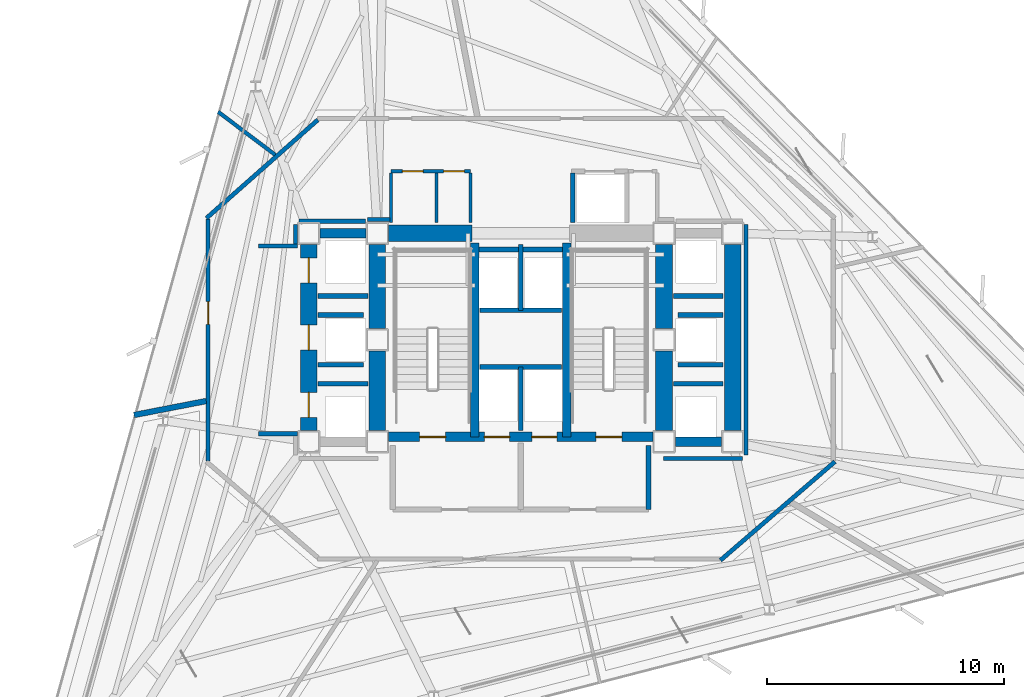
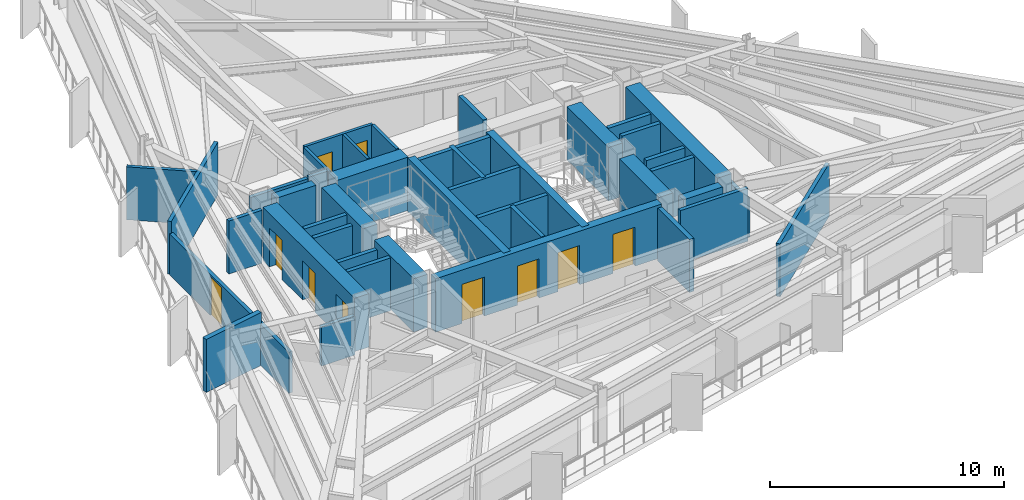
# One storey, part 7 of 11: 43 walls, 10 doors, 10 openings.
"""IFC4 building model written with IfcOpenShell, lengths in metres."""

from ifc_helpers import new_model, si_unit, direction, frame, frame_2d, origin, place, context, subcontext, project, spatial, rectangle, extrude, material, layer, layer_set, type_object, element, fill, save


model = new_model("IFC4")

# Units and contexts
model_context = context("Model", 3, precision=1e-05, world=origin(), true_north=direction((0.0, 1.0)))
body_context = subcontext(model_context, "Body", "Model", "MODEL_VIEW")
ifc_project = project(units=[si_unit("LENGTHUNIT", "METRE"), si_unit("AREAUNIT", "SQUARE_METRE"), si_unit("VOLUMEUNIT", "CUBIC_METRE"), si_unit("PLANEANGLEUNIT", "RADIAN"), si_unit("MASSUNIT", "GRAM", prefix="KILO")], contexts=[model_context])

# Site, building, storey
site_placement = place(None, origin())
site = spatial("IfcSite", under=ifc_project, at=site_placement, CompositionType="ELEMENT")
building_placement = place(site_placement, origin())
building = spatial("IfcBuilding", under=site, at=building_placement, Name="Rocaltana Carrier Exchange", CompositionType="ELEMENT")
storey_placement = place(building_placement, frame((0.0, 0.0, 79.52001953125)))
storey = spatial("IfcBuildingStorey", under=building, at=storey_placement, Name="L24", CompositionType="ELEMENT", Elevation=79.52001953125)

# Walls
ifc_material_1 = material(Name="Double Acoustic Gypsum Partition", Category="gypsum")
ifc_layer_1 = layer(ifc_material_1, 0.159912109375)
ifc_layer_set_1 = layer_set([ifc_layer_1], Name="Double Acoustic Gypsum Partition")
wall_type_1 = type_object("IfcWallType", Name="Acoustic Studio Partition 160 EI60", PredefinedType="PARTITIONING", material=ifc_layer_set_1)
wall_1_placement = place(storey_placement, frame((-10.364501953125, 7.810302734375, 0.0), z_axis=(0.0, 0.0, 1.0), x_axis=(-0.79865006228, 0.601795711201, 0.0)))
element("IfcWall", 1, at=wall_1_placement, inside=storey, type_object=wall_type_1, Name="L24 Suite Divider Wall D8", PredefinedType="PARTITIONING", context=body_context, shape_type="SweptSolid", body=[
    extrude(rectangle(XDim=3.021240234375, YDim=0.159912109375, at=frame_2d((1.5107421875, 0.0))), origin(), (0.0, 0.0, 1.0), 2.762939453125),
])
ifc_material_2 = material(Name="Concrete C50/60", Category="concrete")
ifc_layer_2 = layer(ifc_material_2, 0.35009765625)
ifc_layer_set_2 = layer_set([ifc_layer_2], Name="Concrete C50/60")
wall_type_2 = type_object("IfcWallType", Name="Core Internal Shear Wall 350", PredefinedType="SHEAR", material=ifc_layer_set_2)
for number, where, z_axis, x_axis, name in (
    (2, (-1.93994140625, -4.10009765625, 0.0), (0.0, 0.0, 1.0), (0.0, 1.0, 0.0), "L24 Core Shear Wall CW-STW"),
    (3, (1.93994140625, -4.10009765625, 0.0), (0.0, 0.0, 1.0), (0.0, 1.0, 0.0), "L24 Core Shear Wall CW-STE"),
):
    element("IfcWall", number, at=place(storey_placement, frame(where, z_axis=z_axis, x_axis=x_axis)), inside=storey, type_object=wall_type_2, Name=name, PredefinedType="SHEAR", context=body_context, shape_type="SweptSolid", body=[
        extrude(rectangle(XDim=8.2001953125, YDim=0.35009765625, at=frame_2d((4.10009765625, 0.0))), origin(), (0.0, 0.0, 1.0), 2.7880859375),
    ])

# Wall, openings, doors
ifc_material_3 = material(Name="Concrete C50/60", Category="concrete")
ifc_layer_3 = layer(ifc_material_3, 0.39990234375)
ifc_layer_set_3 = layer_set([ifc_layer_3], Name="Concrete C50/60")
wall_type_3 = type_object("IfcWallType", Name="Core Internal Shear Wall 400", PredefinedType="SHEAR", material=ifc_layer_set_3)
wall_2_placement = place(storey_placement, frame((-5.574951171875, -4.10009765625, 0.0), z_axis=(0.0, 0.0, 1.0), x_axis=(1.0, 0.0, 0.0)))
wall_2 = element("IfcWall", 4, at=wall_2_placement, inside=storey, type_object=wall_type_3, Name="L24 Core Shear Wall CW-S", PredefinedType="SHEAR", context=body_context, shape_type="SweptSolid", body=[
    extrude(rectangle(XDim=11.14990234375, YDim=0.39990234375, at=frame_2d((5.574951171875, 0.0))), origin(), (0.0, 0.0, 1.0), 2.7880859375),
])
opening_1_placement = place(wall_2_placement, frame((1.304931640625, 0.0, 0.0)))
opening_1 = element("IfcOpeningElement", 5, at=opening_1_placement, cuts=wall_2, Name="Opening D-ST110", PredefinedType="OPENING", context=body_context, shape_type="SweptSolid", body=[
    extrude(rectangle(XDim=1.10009765625, YDim=2.0400390625, at=frame_2d((0.550048828125, 1.02001953125))), frame((0.0, 0.2099609375, 0.0), z_axis=(0.0, -1.0, 0.0), x_axis=(1.0, 0.0, 0.0)), (0.0, 0.0, 1.0), 0.419921875),
])
opening_2_placement = place(wall_2_placement, frame((8.7451171875, 0.0, 0.0)))
opening_2 = element("IfcOpeningElement", 6, at=opening_2_placement, cuts=wall_2, Name="Opening D-ST110", PredefinedType="OPENING", context=body_context, shape_type="SweptSolid", body=[
    extrude(rectangle(XDim=1.10009765625, YDim=2.0400390625, at=frame_2d((0.550048828125, 1.02001953125))), frame((0.0, 0.2099609375, 0.0), z_axis=(0.0, -1.0, 0.0), x_axis=(1.0, 0.0, 0.0)), (0.0, 0.0, 1.0), 0.419921875),
])
opening_3_placement = place(wall_2_placement, frame((4.044921875, 0.0, 0.0)))
opening_3 = element("IfcOpeningElement", 7, at=opening_3_placement, cuts=wall_2, Name="Opening LD-110", PredefinedType="OPENING", context=body_context, shape_type="SweptSolid", body=[
    extrude(rectangle(XDim=1.06005859375, YDim=2.0400390625, at=frame_2d((0.530029296875, 1.02001953125))), frame((0.0, 0.2099609375, 0.0), z_axis=(0.0, -1.0, 0.0), x_axis=(1.0, 0.0, 0.0)), (0.0, 0.0, 1.0), 0.419921875),
])
opening_4_placement = place(wall_2_placement, frame((6.044921875, 0.0, 0.0)))
opening_4 = element("IfcOpeningElement", 8, at=opening_4_placement, cuts=wall_2, Name="Opening LD-110", PredefinedType="OPENING", context=body_context, shape_type="SweptSolid", body=[
    extrude(rectangle(XDim=1.06005859375, YDim=2.0400390625, at=frame_2d((0.530029296875, 1.02001953125))), frame((0.0, 0.2099609375, 0.0), z_axis=(0.0, -1.0, 0.0), x_axis=(1.0, 0.0, 0.0)), (0.0, 0.0, 1.0), 0.419921875),
])
ifc_material_4 = material(Name="Hollow Metal Fire Door Assembly", Category="steel")
door_type_1 = type_object("IfcDoorType", Name="Exit Stair Fire Door 1100x2040 FD90S", OperationType="NOTDEFINED", PredefinedType="DOOR", material=ifc_material_4)
door_1_placement = place(opening_1_placement, origin())
door_1 = element("IfcDoor", 9, at=door_1_placement, inside=storey, type_object=door_type_1, Name="L24 Exit Stair ST1 Fire Door", OperationType="SINGLE_SWING_LEFT", OverallHeight=2.0400390625, OverallWidth=1.10009765625, PredefinedType="DOOR", context=body_context, shape_type="SweptSolid", body=[
    extrude(rectangle(XDim=1.10009765625, YDim=2.0400390625, at=frame_2d((0.550048828125, 1.02001953125))), frame((0.0, 0.02490234375, 0.0), z_axis=(0.0, -1.0, 0.0), x_axis=(1.0, 0.0, 0.0)), (0.0, 0.0, 1.0), 0.050048828125),
])
fill(opening_1, door_1)
door_2_placement = place(opening_2_placement, origin())
door_2 = element("IfcDoor", 10, at=door_2_placement, inside=storey, type_object=door_type_1, Name="L24 Exit Stair ST2 Fire Door", OperationType="SINGLE_SWING_RIGHT", OverallHeight=2.0400390625, OverallWidth=1.10009765625, PredefinedType="DOOR", context=body_context, shape_type="SweptSolid", body=[
    extrude(rectangle(XDim=1.10009765625, YDim=2.0400390625, at=frame_2d((0.550048828125, 1.02001953125))), frame((0.0, 0.02490234375, 0.0), z_axis=(0.0, -1.0, 0.0), x_axis=(1.0, 0.0, 0.0)), (0.0, 0.0, 1.0), 0.050048828125),
])
fill(opening_2, door_2)
ifc_material_5 = material(Name="Brushed Stainless Sliding Door Leaf", Category="steel")
door_type_2 = type_object("IfcDoorType", Name="Lift Landing Sliding Door 1060x2040", OperationType="NOTDEFINED", PredefinedType="DOOR", material=ifc_material_5)
door_3_placement = place(opening_3_placement, origin())
door_3 = element("IfcDoor", 11, at=door_3_placement, inside=storey, type_object=door_type_2, Name="L24 Firefighting Lift FFL1 Landing Door", OperationType="SLIDING_TO_LEFT", OverallHeight=2.0400390625, OverallWidth=1.06005859375, PredefinedType="DOOR", context=body_context, shape_type="SweptSolid", body=[
    extrude(rectangle(XDim=1.06005859375, YDim=2.0400390625, at=frame_2d((0.530029296875, 1.02001953125))), frame((0.0, 0.02490234375, 0.0), z_axis=(0.0, -1.0, 0.0), x_axis=(1.0, 0.0, 0.0)), (0.0, 0.0, 1.0), 0.050048828125),
])
fill(opening_3, door_3)
door_4_placement = place(opening_4_placement, origin())
door_4 = element("IfcDoor", 12, at=door_4_placement, inside=storey, type_object=door_type_2, Name="L24 Firefighting Lift FFL2 Landing Door", OperationType="SLIDING_TO_RIGHT", OverallHeight=2.0400390625, OverallWidth=1.06005859375, PredefinedType="DOOR", context=body_context, shape_type="SweptSolid", body=[
    extrude(rectangle(XDim=1.06005859375, YDim=2.0400390625, at=frame_2d((0.530029296875, 1.02001953125))), frame((0.0, 0.02490234375, 0.0), z_axis=(0.0, -1.0, 0.0), x_axis=(1.0, 0.0, 0.0)), (0.0, 0.0, 1.0), 0.050048828125),
])
fill(opening_4, door_4)

# Walls
for number, where, z_axis, x_axis, name in (
    (13, (-8.47509765625, 4.5, 0.0), (0.0, 0.0, 1.0), (1.0, 0.0, 0.0), "L24 Core Shear Wall CW-WWN"),
    (14, (6.52490234375, -4.300048828125, 0.0), (0.0, 0.0, 1.0), (1.0, 0.0, 0.0), "L24 Core Shear Wall CW-EWS"),
):
    element("IfcWall", number, at=place(storey_placement, frame(where, z_axis=z_axis, x_axis=x_axis)), inside=storey, type_object=wall_type_3, Name=name, PredefinedType="SHEAR", context=body_context, shape_type="SweptSolid", body=[
        extrude(rectangle(XDim=1.9501953125, YDim=0.39990234375, at=frame_2d((0.97509765625, 0.0))), origin(), (0.0, 0.0, 1.0), 2.7880859375),
    ])
ifc_material_6 = material(Name="Concrete C60/75", Category="concrete")
ifc_layer_4 = layer(ifc_material_6, 0.699951171875)
ifc_layer_set_4 = layer_set([ifc_layer_4], Name="Concrete C60/75")
wall_type_4 = type_object("IfcWallType", Name="Core Shear Wall 700", PredefinedType="SHEAR", material=ifc_layer_set_4)
wall_3_placement = place(storey_placement, frame((-6.050048828125, 0.47509765625, 0.0), z_axis=(0.0, 0.0, 1.0), x_axis=(0.0, 1.0, 0.0)))
element("IfcWall", 15, at=wall_3_placement, inside=storey, type_object=wall_type_4, Name="L24 Core Shear Wall CW-WN", PredefinedType="SHEAR", context=body_context, shape_type="SweptSolid", body=[
    extrude(rectangle(XDim=3.5498046875, YDim=0.699951171875, at=frame_2d((1.77490234375, 0.0))), origin(), (0.0, 0.0, 1.0), 2.7880859375),
])
wall_4_placement = place(storey_placement, frame((-6.050048828125, -3.824951171875, 0.0), z_axis=(0.0, 0.0, 1.0), x_axis=(0.0, 1.0, 0.0)))
element("IfcWall", 16, at=wall_4_placement, inside=storey, type_object=wall_type_4, Name="L24 Core Shear Wall CW-WS", PredefinedType="SHEAR", context=body_context, shape_type="SweptSolid", body=[
    extrude(rectangle(XDim=3.349853515625, YDim=0.699951171875, at=frame_2d((1.6748046875, 0.0))), origin(), (0.0, 0.0, 1.0), 2.7880859375),
])
wall_5_placement = place(storey_placement, frame((6.050048828125, 0.47509765625, 0.0), z_axis=(0.0, 0.0, 1.0), x_axis=(0.0, 1.0, 0.0)))
element("IfcWall", 17, at=wall_5_placement, inside=storey, type_object=wall_type_4, Name="L24 Core Shear Wall CW-EN", PredefinedType="SHEAR", context=body_context, shape_type="SweptSolid", body=[
    extrude(rectangle(XDim=3.5498046875, YDim=0.699951171875, at=frame_2d((1.77490234375, 0.0))), origin(), (0.0, 0.0, 1.0), 2.7880859375),
])
wall_6_placement = place(storey_placement, frame((6.050048828125, -3.824951171875, 0.0), z_axis=(0.0, 0.0, 1.0), x_axis=(0.0, 1.0, 0.0)))
element("IfcWall", 18, at=wall_6_placement, inside=storey, type_object=wall_type_4, Name="L24 Core Shear Wall CW-ES", PredefinedType="SHEAR", context=body_context, shape_type="SweptSolid", body=[
    extrude(rectangle(XDim=3.349853515625, YDim=0.699951171875, at=frame_2d((1.6748046875, 0.0))), origin(), (0.0, 0.0, 1.0), 2.7880859375),
])
wall_7_placement = place(storey_placement, frame((-5.574951171875, 4.5, 0.0), z_axis=(0.0, 0.0, 1.0), x_axis=(1.0, 0.0, 0.0)))
element("IfcWall", 19, at=wall_7_placement, inside=storey, type_object=wall_type_4, Name="L24 Core Shear Wall CW-N1", PredefinedType="SHEAR", context=body_context, shape_type="SweptSolid", body=[
    extrude(rectangle(XDim=3.52490234375, YDim=0.699951171875, at=frame_2d((1.762451171875, 0.0))), origin(), (0.0, 0.0, 1.0), 2.7880859375),
])

# Wall, openings, doors
wall_8_placement = place(storey_placement, frame((-8.949951171875, -3.824951171875, 0.0), z_axis=(0.0, 0.0, 1.0), x_axis=(0.0, 1.0, 0.0)))
wall_8 = element("IfcWall", 20, at=wall_8_placement, inside=storey, type_object=wall_type_4, Name="L24 Core Shear Wall CW-WW", PredefinedType="SHEAR", context=body_context, shape_type="SweptSolid", body=[
    extrude(rectangle(XDim=7.849853515625, YDim=0.699951171875, at=frame_2d((3.9248046875, 0.0))), origin(), (0.0, 0.0, 1.0), 2.7880859375),
])
opening_5_placement = place(wall_8_placement, frame((0.550048828125, 0.0, 0.0)))
opening_5 = element("IfcOpeningElement", 21, at=opening_5_placement, cuts=wall_8, Name="Opening LD-110", PredefinedType="OPENING", context=body_context, shape_type="SweptSolid", body=[
    extrude(rectangle(XDim=1.06005859375, YDim=2.0400390625, at=frame_2d((0.530029296875, 1.02001953125))), frame((0.0, 0.35986328125, 0.0), z_axis=(0.0, -1.0, 0.0), x_axis=(1.0, 0.0, 0.0)), (0.0, 0.0, 1.0), 0.719970703125),
])
opening_6_placement = place(wall_8_placement, frame((3.39501953125, 0.0, 0.0)))
opening_6 = element("IfcOpeningElement", 22, at=opening_6_placement, cuts=wall_8, Name="Opening LD-110", PredefinedType="OPENING", context=body_context, shape_type="SweptSolid", body=[
    extrude(rectangle(XDim=1.06005859375, YDim=2.0400390625, at=frame_2d((0.530029296875, 1.02001953125))), frame((0.0, 0.35986328125, 0.0), z_axis=(0.0, -1.0, 0.0), x_axis=(1.0, 0.0, 0.0)), (0.0, 0.0, 1.0), 0.719970703125),
])
opening_7_placement = place(wall_8_placement, frame((6.22998046875, 0.0, 0.0)))
opening_7 = element("IfcOpeningElement", 23, at=opening_7_placement, cuts=wall_8, Name="Opening LD-110", PredefinedType="OPENING", context=body_context, shape_type="SweptSolid", body=[
    extrude(rectangle(XDim=1.06005859375, YDim=2.0400390625, at=frame_2d((0.530029296875, 1.02001953125))), frame((0.0, 0.35986328125, 0.0), z_axis=(0.0, -1.0, 0.0), x_axis=(1.0, 0.0, 0.0)), (0.0, 0.0, 1.0), 0.719970703125),
])
door_5_placement = place(opening_5_placement, origin())
door_5 = element("IfcDoor", 24, at=door_5_placement, inside=storey, type_object=door_type_2, Name="L24 Low-Rise Lift PL-L1 Landing Door", OperationType="SLIDING_TO_LEFT", OverallHeight=2.0400390625, OverallWidth=1.06005859375, PredefinedType="DOOR", context=body_context, shape_type="SweptSolid", body=[
    extrude(rectangle(XDim=1.06005859375, YDim=2.0400390625, at=frame_2d((0.530029296875, 1.02001953125))), frame((0.0, 0.02490234375, 0.0), z_axis=(0.0, -1.0, 0.0), x_axis=(1.0, 0.0, 0.0)), (0.0, 0.0, 1.0), 0.050048828125),
])
fill(opening_5, door_5)
door_6_placement = place(opening_6_placement, origin())
door_6 = element("IfcDoor", 25, at=door_6_placement, inside=storey, type_object=door_type_2, Name="L24 Low-Rise Lift PL-L2 Landing Door", OperationType="SLIDING_TO_RIGHT", OverallHeight=2.0400390625, OverallWidth=1.06005859375, PredefinedType="DOOR", context=body_context, shape_type="SweptSolid", body=[
    extrude(rectangle(XDim=1.06005859375, YDim=2.0400390625, at=frame_2d((0.530029296875, 1.02001953125))), frame((0.0, 0.02490234375, 0.0), z_axis=(0.0, -1.0, 0.0), x_axis=(1.0, 0.0, 0.0)), (0.0, 0.0, 1.0), 0.050048828125),
])
fill(opening_6, door_6)
door_7_placement = place(opening_7_placement, origin())
door_7 = element("IfcDoor", 26, at=door_7_placement, inside=storey, type_object=door_type_2, Name="L24 Low-Rise Lift PL-L3 Landing Door", OperationType="SLIDING_TO_LEFT", OverallHeight=2.0400390625, OverallWidth=1.06005859375, PredefinedType="DOOR", context=body_context, shape_type="SweptSolid", body=[
    extrude(rectangle(XDim=1.06005859375, YDim=2.0400390625, at=frame_2d((0.530029296875, 1.02001953125))), frame((0.0, 0.02490234375, 0.0), z_axis=(0.0, -1.0, 0.0), x_axis=(1.0, 0.0, 0.0)), (0.0, 0.0, 1.0), 0.050048828125),
])
fill(opening_7, door_7)

# Walls
wall_9_placement = place(storey_placement, frame((8.949951171875, -3.824951171875, 0.0), z_axis=(0.0, 0.0, 1.0), x_axis=(0.0, 1.0, 0.0)))
element("IfcWall", 27, at=wall_9_placement, inside=storey, type_object=wall_type_4, Name="L24 Core Shear Wall CW-EW", PredefinedType="SHEAR", context=body_context, shape_type="SweptSolid", body=[
    extrude(rectangle(XDim=7.849853515625, YDim=0.699951171875, at=frame_2d((3.9248046875, 0.0))), origin(), (0.0, 0.0, 1.0), 2.7880859375),
])
ifc_material_7 = material(Name="Gypsum & Steel Stud Partition", Category="steel")
ifc_layer_5 = layer(ifc_material_7, 0.179931640625)
ifc_layer_set_5 = layer_set([ifc_layer_5], Name="Gypsum & Steel Stud Partition")
wall_type_5 = type_object("IfcWallType", Name="Corridor Fire Partition 180 EI60", PredefinedType="PARTITIONING", material=ifc_layer_set_5)
wall_10_placement = place(storey_placement, frame((13.268310546875, -5.14111328125, 0.0), z_axis=(0.0, 0.0, 1.0), x_axis=(-0.757534501725, -0.65279512766, 0.0)))
element("IfcWall", 28, at=wall_10_placement, inside=storey, type_object=wall_type_5, Name="L24 Corridor Partition 4", PredefinedType="PARTITIONING", context=body_context, shape_type="SweptSolid", body=[
    extrude(rectangle(XDim=6.384521484375, YDim=0.179931640625, at=frame_2d((3.1923828125, 0.0))), origin(), (0.0, 0.0, 1.0), 2.762939453125),
])

# Wall, opening, door
wall_11_placement = place(storey_placement, frame((-13.199951171875, -5.110107421875, 0.0), z_axis=(0.0, 0.0, 1.0), x_axis=(0.0, 1.0, 0.0)))
wall_11 = element("IfcWall", 29, at=wall_11_placement, inside=storey, type_object=wall_type_5, Name="L24 Corridor Partition 7", PredefinedType="PARTITIONING", context=body_context, shape_type="SweptSolid", body=[
    extrude(rectangle(XDim=10.22021484375, YDim=0.179931640625, at=frame_2d((5.110107421875, 0.0))), origin(), (0.0, 0.0, 1.0), 2.14306640625),
])
opening_8_placement = place(wall_11_placement, frame((5.764892578125, 0.0, 0.0)))
opening_8 = element("IfcOpeningElement", 30, at=opening_8_placement, cuts=wall_11, Name="Opening D-RM098", PredefinedType="OPENING", context=body_context, shape_type="SweptSolid", body=[
    extrude(rectangle(XDim=0.9599609375, YDim=2.02001953125, at=frame_2d((0.47998046875, 1.010009765625))), frame((0.0, 0.099853515625, 0.0), z_axis=(0.0, -1.0, 0.0), x_axis=(1.0, 0.0, 0.0)), (0.0, 0.0, 1.0), 0.199951171875),
])
ifc_material_8 = material(Name="Engineered Hardwood Timber", Category="wood")
door_type_3 = type_object("IfcDoorType", Name="Workspace Single Door 960x2020", OperationType="NOTDEFINED", PredefinedType="DOOR", material=ifc_material_8)
door_8_placement = place(opening_8_placement, origin())
door_8 = element("IfcDoor", 31, at=door_8_placement, inside=storey, type_object=door_type_3, Name="L24 Incident Briefing Room Entrance Door", OperationType="SINGLE_SWING_LEFT", OverallHeight=2.02001953125, OverallWidth=0.9599609375, PredefinedType="DOOR", context=body_context, shape_type="SweptSolid", body=[
    extrude(rectangle(XDim=0.9599609375, YDim=2.02001953125, at=frame_2d((0.47998046875, 1.010009765625))), frame((0.0, 0.02490234375, 0.0), z_axis=(0.0, -1.0, 0.0), x_axis=(1.0, 0.0, 0.0)), (0.0, 0.0, 1.0), 0.050048828125),
])
fill(opening_8, door_8)

# Walls
wall_12_placement = place(storey_placement, frame((-13.267578125, 5.140380859375, 0.0), z_axis=(0.0, 0.0, 1.0), x_axis=(0.749626463267, 0.66186113768, 0.0)))
element("IfcWall", 32, at=wall_12_placement, inside=storey, type_object=wall_type_5, Name="L24 Corridor Partition 8", PredefinedType="PARTITIONING", context=body_context, shape_type="SweptSolid", body=[
    extrude(rectangle(XDim=6.27001953125, YDim=0.179931640625, at=frame_2d((3.135009765625, 0.0))), origin(), (0.0, 0.0, 1.0), 2.762939453125),
])
wall_13_placement = place(storey_placement, frame((-9.510009765625, 4.8701171875, 0.0), z_axis=(0.0, 0.0, 1.0), x_axis=(0.0, -1.0, 0.0)))
element("IfcWall", 33, at=wall_13_placement, inside=storey, type_object=wall_type_5, Name="L24 Corridor Partition 9", PredefinedType="PARTITIONING", context=body_context, shape_type="SweptSolid", body=[
    extrude(rectangle(XDim=0.820068359375, YDim=0.179931640625, at=frame_2d((0.41015625, 0.0))), origin(), (0.0, 0.0, 1.0), 2.277099609375),
])
wall_14_placement = place(storey_placement, frame((-9.419921875, 3.9599609375, 0.0), z_axis=(0.0, 0.0, 1.0), x_axis=(-1.0, 0.0, 0.0)))
element("IfcWall", 34, at=wall_14_placement, inside=storey, type_object=wall_type_5, Name="L24 Corridor Partition 10", PredefinedType="PARTITIONING", context=body_context, shape_type="SweptSolid", body=[
    extrude(rectangle(XDim=1.650146484375, YDim=0.179931640625, at=frame_2d((0.8251953125, 0.0))), origin(), (0.0, 0.0, 1.0), 2.762939453125),
])
wall_15_placement = place(storey_placement, frame((-11.070068359375, -3.9599609375, 0.0), z_axis=(0.0, 0.0, 1.0), x_axis=(1.0, 0.0, 0.0)))
element("IfcWall", 35, at=wall_15_placement, inside=storey, type_object=wall_type_5, Name="L24 Corridor Partition 11", PredefinedType="PARTITIONING", context=body_context, shape_type="SweptSolid", body=[
    extrude(rectangle(XDim=1.650146484375, YDim=0.179931640625, at=frame_2d((0.8251953125, 0.0))), origin(), (0.0, 0.0, 1.0), 2.048095703125),
])
wall_16_placement = place(storey_placement, frame((6.030029296875, -5.010009765625, 0.0), z_axis=(0.0, 0.0, 1.0), x_axis=(1.0, 0.0, 0.0)))
element("IfcWall", 36, at=wall_16_placement, inside=storey, type_object=wall_type_5, Name="L24 Corridor Partition 16", PredefinedType="PARTITIONING", context=body_context, shape_type="SweptSolid", body=[
    extrude(rectangle(XDim=3.340087890625, YDim=0.179931640625, at=frame_2d((1.669921875, 0.0))), origin(), (0.0, 0.0, 1.0), 2.762939453125),
])
wall_17_placement = place(storey_placement, frame((9.510009765625, -4.8701171875, 0.0), z_axis=(0.0, 0.0, 1.0), x_axis=(0.0, 1.0, 0.0)))
element("IfcWall", 37, at=wall_17_placement, inside=storey, type_object=wall_type_5, Name="L24 Corridor Partition 17", PredefinedType="PARTITIONING", context=body_context, shape_type="SweptSolid", body=[
    extrude(rectangle(XDim=9.740234375, YDim=0.179931640625, at=frame_2d((4.8701171875, 0.0))), origin(), (0.0, 0.0, 1.0), 2.048095703125),
])
wall_18_placement = place(storey_placement, frame((-5.52001953125, 5.080078125, 0.0), z_axis=(0.0, 0.0, 1.0), x_axis=(-1.0, 0.0, 0.0)))
element("IfcWall", 38, at=wall_18_placement, inside=storey, type_object=wall_type_5, Name="L24 Corridor Partition 22", PredefinedType="PARTITIONING", context=body_context, shape_type="SweptSolid", body=[
    extrude(rectangle(XDim=0.949951171875, YDim=0.179931640625, at=frame_2d((0.47509765625, 0.0))), origin(), (0.0, 0.0, 1.0), 2.762939453125),
])
wall_19_placement = place(storey_placement, frame((-6.562255859375, 5.010009765625, 0.0), z_axis=(0.0, 0.0, 1.0), x_axis=(-1.0, 0.0, 0.0)))
element("IfcWall", 39, at=wall_19_placement, inside=storey, type_object=wall_type_5, Name="L24 Corridor Partition 23", PredefinedType="PARTITIONING", context=body_context, shape_type="SweptSolid", body=[
    extrude(rectangle(XDim=2.807861328125, YDim=0.179931640625, at=frame_2d((1.40380859375, 0.0))), origin(), (0.0, 0.0, 1.0), 2.762939453125),
])
ifc_material_9 = material(Name="Autoclaved Aerated Concrete C30/37", Category="concrete")
ifc_layer_6 = layer(ifc_material_9, 0.219970703125)
ifc_layer_set_6 = layer_set([ifc_layer_6], Name="Autoclaved Aerated Concrete C30/37")
wall_type_6 = type_object("IfcWallType", Name="Firefighting Lobby Wall 220 EI120", PredefinedType="PARTITIONING", material=ifc_layer_set_6)
wall_20_placement = place(storey_placement, frame((5.39990234375, -7.159912109375, 0.0), z_axis=(0.0, 0.0, 1.0), x_axis=(0.0, 1.0, 0.0)))
element("IfcWall", 40, at=wall_20_placement, inside=storey, type_object=wall_type_6, Name="L24 FFL Lobby 2 East Wall", PredefinedType="PARTITIONING", context=body_context, shape_type="SweptSolid", body=[
    extrude(rectangle(XDim=2.7099609375, YDim=0.219970703125, at=frame_2d((1.35498046875, 0.0))), origin(), (0.0, 0.0, 1.0), 2.762939453125),
])
ifc_material_10 = material(Name="Acoustic Calcium Silicate Partition", Category="gypsum")
ifc_layer_7 = layer(ifc_material_10, 0.239990234375)
ifc_layer_set_7 = layer_set([ifc_layer_7], Name="Acoustic Calcium Silicate Partition")
wall_type_7 = type_object("IfcWallType", Name="Heavy Lab Partition 240 EI90", PredefinedType="PARTITIONING", material=ifc_layer_set_7)
wall_21_placement = place(storey_placement, frame((-13.280029296875, -2.581298828125, 0.0), z_axis=(0.0, 0.0, 1.0), x_axis=(-0.98161907283, -0.190850716155, 0.0)))
element("IfcWall", 41, at=wall_21_placement, inside=storey, type_object=wall_type_7, Name="L24 Suite Divider Wall D1", PredefinedType="PARTITIONING", context=body_context, shape_type="SweptSolid", body=[
    extrude(rectangle(XDim=3.104736328125, YDim=0.239990234375, at=frame_2d((1.55224609375, 0.0))), origin(), (0.0, 0.0, 1.0), 2.762939453125),
])
ifc_material_11 = material(Name="Reinforced Concrete Block C35/45", Category="concrete")
ifc_layer_8 = layer(ifc_material_11, 0.199951171875)
ifc_layer_set_8 = layer_set([ifc_layer_8], Name="Reinforced Concrete Block C35/45")
wall_type_8 = type_object("IfcWallType", Name="Lift Hoistway Enclosure Wall 200 EI120", PredefinedType="PARTITIONING", material=ifc_layer_set_8)
wall_22_placement = place(storey_placement, frame((0.0, -3.820068359375, 0.0), z_axis=(0.0, 0.0, 1.0), x_axis=(0.0, 1.0, 0.0)))
element("IfcWall", 42, at=wall_22_placement, inside=storey, type_object=wall_type_8, Name="L24 FFL Shaft Divider", PredefinedType="PARTITIONING", context=body_context, shape_type="SweptSolid", body=[
    extrude(rectangle(XDim=2.670166015625, YDim=0.199951171875, at=frame_2d((1.3349609375, 0.0))), origin(), (0.0, 0.0, 1.0), 2.762939453125),
])
wall_23_placement = place(storey_placement, frame((-1.719970703125, -1.14990234375, 0.0), z_axis=(0.0, 0.0, 1.0), x_axis=(1.0, 0.0, 0.0)))
element("IfcWall", 43, at=wall_23_placement, inside=storey, type_object=wall_type_8, Name="L24 FFL Shaft Back Wall", PredefinedType="PARTITIONING", context=body_context, shape_type="SweptSolid", body=[
    extrude(rectangle(XDim=3.43994140625, YDim=0.199951171875, at=frame_2d((1.719970703125, 0.0))), origin(), (0.0, 0.0, 1.0), 2.762939453125),
])
wall_24_placement = place(storey_placement, frame((0.0, 1.25, 0.0), z_axis=(0.0, 0.0, 1.0), x_axis=(0.0, 1.0, 0.0)))
element("IfcWall", 44, at=wall_24_placement, inside=storey, type_object=wall_type_8, Name="L24 High-Rise Shaft Divider", PredefinedType="PARTITIONING", context=body_context, shape_type="SweptSolid", body=[
    extrude(rectangle(XDim=2.77001953125, YDim=0.199951171875, at=frame_2d((1.385009765625, 0.0))), origin(), (0.0, 0.0, 1.0), 2.762939453125),
])
wall_25_placement = place(storey_placement, frame((-1.719970703125, 1.25, 0.0), z_axis=(0.0, 0.0, 1.0), x_axis=(1.0, 0.0, 0.0)))
element("IfcWall", 45, at=wall_25_placement, inside=storey, type_object=wall_type_8, Name="L24 High-Rise Shaft Back Wall", PredefinedType="PARTITIONING", context=body_context, shape_type="SweptSolid", body=[
    extrude(rectangle(XDim=3.43994140625, YDim=0.199951171875, at=frame_2d((1.719970703125, 0.0))), origin(), (0.0, 0.0, 1.0), 2.762939453125),
])
wall_26_placement = place(storey_placement, frame((-1.760009765625, 3.820068359375, 0.0), z_axis=(0.0, 0.0, 1.0), x_axis=(1.0, 0.0, 0.0)))
element("IfcWall", 46, at=wall_26_placement, inside=storey, type_object=wall_type_8, Name="L24 High-Rise Lift Front Wall", PredefinedType="PARTITIONING", context=body_context, shape_type="SweptSolid", body=[
    extrude(rectangle(XDim=3.52001953125, YDim=0.199951171875, at=frame_2d((1.760009765625, 0.0))), origin(), (0.0, 0.0, 1.0), 2.762939453125),
])
for number, where, z_axis, x_axis, name in (
    (47, (2.199951171875, 4.949951171875, 0.0), (0.0, 0.0, 1.0), (0.0, 1.0, 0.0), "L24 Goods Lift West Wall"),
    (48, (-8.550048828125, -1.85009765625, 0.0), (0.0, 0.0, 1.0), (1.0, 0.0, 0.0), "L24 Low-Rise Shaft Divider 1"),
    (49, (-8.550048828125, 1.85009765625, 0.0), (0.0, 0.0, 1.0), (1.0, 0.0, 0.0), "L24 Low-Rise Shaft Divider 2"),
):
    element("IfcWall", number, at=place(storey_placement, frame(where, z_axis=z_axis, x_axis=x_axis)), inside=storey, type_object=wall_type_8, Name=name, PredefinedType="PARTITIONING", context=body_context, shape_type="SweptSolid", body=[
        extrude(rectangle(XDim=2.10009765625, YDim=0.199951171875, at=frame_2d((1.050048828125, 0.0))), origin(), (0.0, 0.0, 1.0), 2.762939453125),
    ])
for number, where, z_axis, x_axis, name in (
    (50, (-8.550048828125, -1.050048828125, 0.0), (0.0, 0.0, 1.0), (1.0, 0.0, 0.0), "L24 Low-Rise Center Shaft Wall South"),
    (51, (-8.550048828125, 1.050048828125, 0.0), (0.0, 0.0, 1.0), (1.0, 0.0, 0.0), "L24 Low-Rise Center Shaft Wall North"),
):
    element("IfcWall", number, at=place(storey_placement, frame(where, z_axis=z_axis, x_axis=x_axis)), inside=storey, type_object=wall_type_8, Name=name, PredefinedType="PARTITIONING", context=body_context, shape_type="SweptSolid", body=[
        extrude(rectangle(XDim=1.91015625, YDim=0.199951171875, at=frame_2d((0.955078125, 0.0))), origin(), (0.0, 0.0, 1.0), 2.762939453125),
    ])
for number, where, z_axis, x_axis, name in (
    (52, (6.449951171875, -1.85009765625, 0.0), (0.0, 0.0, 1.0), (1.0, 0.0, 0.0), "L24 Mid-Rise Shaft Divider 1"),
    (53, (6.449951171875, 1.85009765625, 0.0), (0.0, 0.0, 1.0), (1.0, 0.0, 0.0), "L24 Mid-Rise Shaft Divider 2"),
):
    element("IfcWall", number, at=place(storey_placement, frame(where, z_axis=z_axis, x_axis=x_axis)), inside=storey, type_object=wall_type_8, Name=name, PredefinedType="PARTITIONING", context=body_context, shape_type="SweptSolid", body=[
        extrude(rectangle(XDim=2.10009765625, YDim=0.199951171875, at=frame_2d((1.050048828125, 0.0))), origin(), (0.0, 0.0, 1.0), 2.762939453125),
    ])
for number, where, z_axis, x_axis, name in (
    (54, (6.639892578125, -1.050048828125, 0.0), (0.0, 0.0, 1.0), (1.0, 0.0, 0.0), "L24 Mid-Rise Center Shaft Wall South"),
    (55, (6.639892578125, 1.050048828125, 0.0), (0.0, 0.0, 1.0), (1.0, 0.0, 0.0), "L24 Mid-Rise Center Shaft Wall North"),
):
    element("IfcWall", number, at=place(storey_placement, frame(where, z_axis=z_axis, x_axis=x_axis)), inside=storey, type_object=wall_type_8, Name=name, PredefinedType="PARTITIONING", context=body_context, shape_type="SweptSolid", body=[
        extrude(rectangle(XDim=1.91015625, YDim=0.199951171875, at=frame_2d((0.955078125, 0.0))), origin(), (0.0, 0.0, 1.0), 2.762939453125),
    ])
ifc_material_12 = material(Name="Moisture-Resistant Masonry C30/37", Category="masonry")
ifc_layer_9 = layer(ifc_material_12, 0.139892578125)
ifc_layer_set_9 = layer_set([ifc_layer_9], Name="Moisture-Resistant Masonry C30/37")
wall_type_9 = type_object("IfcWallType", Name="Wet-Area Sanitary Partition 140", PredefinedType="PARTITIONING", material=ifc_layer_set_9)
for number, where, z_axis, x_axis, name in (
    (56, (-5.47998046875, 4.949951171875, 0.0), (0.0, 0.0, 1.0), (0.0, 1.0, 0.0), "L24 Sanitary West Wall"),
    (57, (-3.56005859375, 4.949951171875, 0.0), (0.0, 0.0, 1.0), (0.0, 1.0, 0.0), "L24 Sanitary Divider"),
    (58, (-2.1201171875, 4.949951171875, 0.0), (0.0, 0.0, 1.0), (0.0, 1.0, 0.0), "L24 Sanitary East Wall"),
):
    element("IfcWall", number, at=place(storey_placement, frame(where, z_axis=z_axis, x_axis=x_axis)), inside=storey, type_object=wall_type_9, Name=name, PredefinedType="PARTITIONING", context=body_context, shape_type="SweptSolid", body=[
        extrude(rectangle(XDim=2.10009765625, YDim=0.139892578125, at=frame_2d((1.050048828125, 0.0))), origin(), (0.0, 0.0, 1.0), 2.762939453125),
    ])

# Wall, openings, doors
wall_27_placement = place(storey_placement, frame((-5.47998046875, 7.1201171875, 0.0), z_axis=(0.0, 0.0, 1.0), x_axis=(1.0, 0.0, 0.0)))
wall_27 = element("IfcWall", 59, at=wall_27_placement, inside=storey, type_object=wall_type_9, Name="L24 Sanitary North Wall", PredefinedType="PARTITIONING", context=body_context, shape_type="SweptSolid", body=[
    extrude(rectangle(XDim=3.35986328125, YDim=0.139892578125, at=frame_2d((1.679931640625, 0.0))), origin(), (0.0, 0.0, 1.0), 2.762939453125),
])
opening_9_placement = place(wall_27_placement, frame((0.47998046875, 0.0, 0.0)))
opening_9 = element("IfcOpeningElement", 60, at=opening_9_placement, cuts=wall_27, Name="Opening D-WC090", PredefinedType="OPENING", context=body_context, shape_type="SweptSolid", body=[
    extrude(rectangle(XDim=0.8798828125, YDim=2.02001953125, at=frame_2d((0.43994140625, 1.010009765625))), frame((0.0, 0.079833984375, 0.0), z_axis=(0.0, -1.0, 0.0), x_axis=(1.0, 0.0, 0.0)), (0.0, 0.0, 1.0), 0.159912109375),
])
opening_10_placement = place(wall_27_placement, frame((2.219970703125, 0.0, 0.0)))
opening_10 = element("IfcOpeningElement", 61, at=opening_10_placement, cuts=wall_27, Name="Opening D-WC090", PredefinedType="OPENING", context=body_context, shape_type="SweptSolid", body=[
    extrude(rectangle(XDim=0.8798828125, YDim=2.02001953125, at=frame_2d((0.43994140625, 1.010009765625))), frame((0.0, 0.079833984375, 0.0), z_axis=(0.0, -1.0, 0.0), x_axis=(1.0, 0.0, 0.0)), (0.0, 0.0, 1.0), 0.159912109375),
])
ifc_material_13 = material(Name="High-Pressure Laminate Timber", Category="wood")
door_type_4 = type_object("IfcDoorType", Name="Restroom & Accessible WC Door 880x2020", OperationType="NOTDEFINED", PredefinedType="DOOR", material=ifc_material_13)
door_9_placement = place(opening_9_placement, origin())
door_9 = element("IfcDoor", 62, at=door_9_placement, inside=storey, type_object=door_type_4, Name="L24 Accessible Toilet Door", OperationType="SINGLE_SWING_LEFT", OverallHeight=2.02001953125, OverallWidth=0.8798828125, PredefinedType="DOOR", context=body_context, shape_type="SweptSolid", body=[
    extrude(rectangle(XDim=0.8798828125, YDim=2.02001953125, at=frame_2d((0.43994140625, 1.010009765625))), frame((0.0, 0.02490234375, 0.0), z_axis=(0.0, -1.0, 0.0), x_axis=(1.0, 0.0, 0.0)), (0.0, 0.0, 1.0), 0.050048828125),
])
fill(opening_9, door_9)
door_10_placement = place(opening_10_placement, origin())
door_10 = element("IfcDoor", 63, at=door_10_placement, inside=storey, type_object=door_type_4, Name="L24 Staff Restroom Door", OperationType="SINGLE_SWING_RIGHT", OverallHeight=2.02001953125, OverallWidth=0.8798828125, PredefinedType="DOOR", context=body_context, shape_type="SweptSolid", body=[
    extrude(rectangle(XDim=0.8798828125, YDim=2.02001953125, at=frame_2d((0.43994140625, 1.010009765625))), frame((0.0, 0.02490234375, 0.0), z_axis=(0.0, -1.0, 0.0), x_axis=(1.0, 0.0, 0.0)), (0.0, 0.0, 1.0), 0.050048828125),
])
fill(opening_10, door_10)

save(model, "model.ifc")
